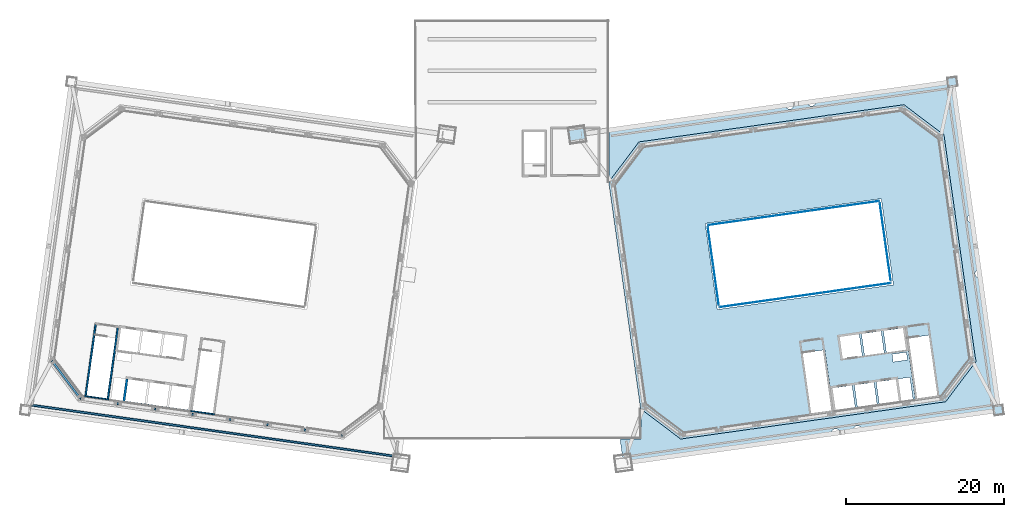
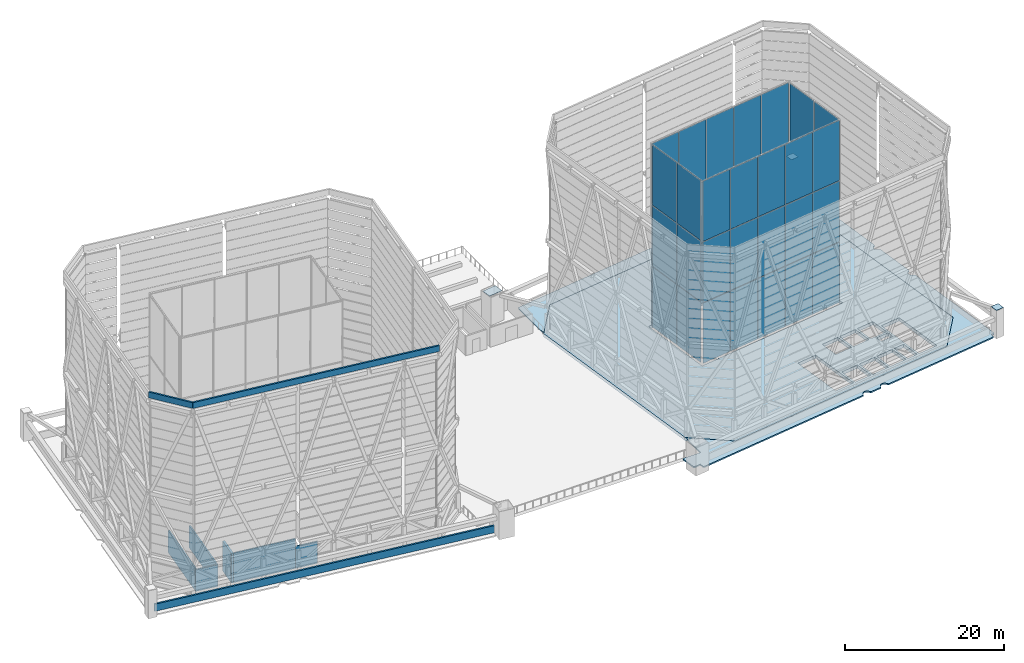
# One storey, part 19 of 45: 45 plates, 9 walls, 2 slabs, 4 elements without a shape of their own.
"""IFC4 building model written with IfcOpenShell, lengths in metres."""

from ifc_helpers import new_model, si_unit, direction, frame, frame_2d, origin, origin_2d, place, context, subcontext, project, spatial, polyline, rectangle, outline, extrude, material, layer, layer_set, type_object, element, aggregate, save


model = new_model("IFC4")

# Units and contexts
model_context = context("Model", 3, precision=1e-05, world=origin(), true_north=direction((0.0, 1.0)))
body_context = subcontext(model_context, "Body", "Model", "MODEL_VIEW")
ifc_project = project(units=[si_unit("LENGTHUNIT", "METRE"), si_unit("AREAUNIT", "SQUARE_METRE"), si_unit("VOLUMEUNIT", "CUBIC_METRE"), si_unit("PLANEANGLEUNIT", "RADIAN"), si_unit("MASSUNIT", "GRAM", prefix="KILO")], contexts=[model_context])

# Site, building, storey
site_placement = place(None, origin())
site = spatial("IfcSite", under=ifc_project, at=site_placement, CompositionType="ELEMENT")
building_placement = place(site_placement, origin())
building = spatial("IfcBuilding", under=site, at=building_placement, Name="Mirante Cascada Hotel Towers", CompositionType="ELEMENT")
storey_placement = place(building_placement, frame((0.0, 0.0, 269.8)))
storey = spatial("IfcBuildingStorey", under=building, at=storey_placement, Name="Roof garden", CompositionType="ELEMENT", Elevation=269.8)

# Slab
ifc_material_1 = material(Name="Precast concrete C40/50", Category="concrete")
ifc_layer_1 = layer(ifc_material_1, 0.2)
ifc_layer_set_1 = layer_set([ifc_layer_1], Name="Crown deck edge slab 200 C40/50")
slab_type_1 = type_object("IfcSlabType", Name="Crown deck edge slab 200 C40/50", PredefinedType="FLOOR", material=ifc_layer_set_1)
slab_1_placement = place(storey_placement, frame((0.0, 0.0, -0.2)))
element("IfcSlab", 1, at=slab_1_placement, inside=storey, type_object=slab_type_1, Name="Crown deck edge slab T2 1", PredefinedType="FLOOR", context=body_context, shape_type="SweptSolid", body=[
    extrude(outline(polyline([(12.5712, 10.5725), (12.4994, 10.5206), (12.3967, 10.5231), (12.3275, 10.5782), (12.3014, 10.6627), (12.3014, 16.5886), (12.3336, 16.6815), (12.4164, 16.7345), (34.4832, 19.8365), (34.5553, 19.8289), (34.6051, 19.7988), (34.7323, 19.5856), (34.8573, 19.4723), (35.0488, 19.393), (35.2172, 19.3847), (35.4156, 19.4449), (35.5511, 19.5453), (35.6662, 19.7177), (35.7288, 19.9556), (35.7685, 19.999), (35.8364, 20.0266), (37.3103, 20.2273), (37.3987, 20.1796), (37.5156, 19.9767), (37.6406, 19.8635), (37.8321, 19.7842), (38.0005, 19.7759), (38.1989, 19.8361), (38.3343, 19.9365), (38.4495, 20.1089), (38.5121, 20.3467), (38.5518, 20.3902), (38.6196, 20.4178), (55.102, 22.7342), (55.2009, 22.7138), (55.244, 22.6741), (55.2686, 22.621), (55.3272, 22.2107), (55.7672, 22.2658), (55.8456, 22.228), (55.8926, 22.1385), (58.1313, 6.209), (58.1281, 6.1509), (58.0936, 6.0871), (57.8804, 5.9599), (57.7672, 5.8349), (57.6878, 5.6434), (57.6796, 5.475), (57.7397, 5.2766), (57.8402, 5.1412), (58.0126, 5.026), (58.2504, 4.9634), (58.2938, 4.9237), (58.3215, 4.8559), (59.1154, -0.7986), (59.1065, -0.8561), (59.0661, -0.9163), (58.8632, -1.0331), (58.75, -1.1581), (58.6706, -1.3496), (58.6624, -1.518), (58.7225, -1.7164), (58.823, -1.8519), (58.9954, -1.9671), (59.2332, -2.0296), (59.2767, -2.0693), (59.3043, -2.1372), (61.543, -18.0664), (61.5225, -18.1654), (61.4829, -18.2085), (61.4298, -18.2331), (61.0194, -18.2917), (61.0745, -18.7316), (61.0262, -18.8204), (60.9472, -18.857), (44.4647, -21.1735), (44.3926, -21.1659), (44.3428, -21.1358), (44.2156, -20.9226), (44.0906, -20.8094), (43.8991, -20.73), (43.7307, -20.7218), (43.5323, -20.7819), (43.3968, -20.8824), (43.2817, -21.0548), (43.2261, -21.2796), (43.154, -21.3511), (41.6814, -21.5647), (41.6233, -21.5614), (41.5595, -21.527), (41.4323, -21.3138), (41.3074, -21.2005), (41.1158, -21.1212), (40.9474, -21.1129), (40.749, -21.1731), (40.6136, -21.2736), (40.4984, -21.4459), (40.4358, -21.6838), (40.3838, -21.7354), (40.3283, -21.7548), (15.2464, -25.2799), (15.1474, -25.2594), (15.0839, -25.1808), (15.0002, -24.6078), (14.1587, -24.7259), (14.0597, -24.7054), (14.0085, -24.6534), (13.9892, -24.5982), (13.7046, -22.5728), (13.7083, -22.5129), (13.745, -22.4479), (13.7944, -22.4139), (13.8531, -22.4019), (16.2855, -22.4019), (16.3344, -22.3687), (16.3374, -18.9082), (16.3702, -18.8145), (16.4544, -18.7619), (16.5119, -18.7602), (16.5777, -18.7884), (21.0829, -22.1833), (21.225, -22.3208), (21.3699, -22.3994), (21.4955, -22.4029), (21.5881, -22.393), (21.7262, -22.3495), (26.1241, -21.7315), (26.2829, -21.7339), (26.4671, -21.6832), (30.024, -21.1833), (30.2189, -21.2146), (30.3414, -21.2139), (30.5122, -21.1711), (30.682, -21.0909), (30.8792, -21.0638), (31.0238, -21.0676), (31.208, -21.017), (35.6058, -20.3989), (35.7647, -20.4014), (35.9489, -20.3507), (40.3467, -19.7326), (40.5056, -19.7351), (40.6898, -19.6844), (44.5383, -19.1435), (44.7332, -19.1748), (44.8556, -19.1741), (44.9756, -19.1495), (45.1451, -19.0755), (45.2926, -19.0616), (45.4307, -19.0181), (49.8285, -18.4), (49.9874, -18.4025), (50.1716, -18.3518), (54.5694, -17.7337), (54.7671, -17.7304), (54.9252, -17.6835), (55.0475, -17.5624), (55.1419, -17.3963), (58.539, -12.8882), (58.6764, -12.7461), (58.7551, -12.6012), (58.7585, -12.4756), (58.7487, -12.383), (58.7052, -12.2449), (58.0894, -7.8632), (58.0918, -7.7043), (58.0411, -7.5201), (57.4253, -3.1384), (57.4278, -2.9795), (57.3771, -2.7954), (56.7613, 1.5864), (56.7638, 1.7452), (56.7131, 1.9294), (56.0973, 6.3111), (56.0998, 6.47), (56.0491, 6.6542), (55.4333, 11.0359), (55.4357, 11.1948), (55.3851, 11.379), (54.7692, 15.7607), (54.7724, 15.9122), (54.755, 16.0037), (54.7191, 16.1165), (54.5979, 16.2387), (54.4319, 16.3331), (49.9238, 19.7302), (49.8132, 19.8443), (49.6367, 19.9463), (49.4646, 19.9471), (49.2804, 19.8964), (44.8826, 19.2783), (44.7237, 19.2808), (44.5395, 19.2301), (40.1417, 18.612), (39.9828, 18.6145), (39.7986, 18.5638), (35.4008, 17.9458), (35.2419, 17.9482), (35.0577, 17.8975), (30.6599, 17.2795), (30.501, 17.2819), (30.3168, 17.2313), (25.919, 16.6132), (25.7601, 16.6157), (25.5759, 16.565), (21.1781, 15.9469), (21.0192, 15.9494), (20.835, 15.8987), (16.4372, 15.2806), (16.2856, 15.2838), (16.1942, 15.2663), (16.0814, 15.2304), (15.9591, 15.1093), (15.8647, 14.9432), (12.5712, 10.5725)])), origin(), (0.0, 0.0, 1.0), 0.2),
])

# Curtain wall, plates
ifc_material_2 = material(Name="Aluminium mullion and transom frame with clear laminated glass", Category="aluminium")
curtain_wall_type = type_object("IfcCurtainWallType", Name="Atrium rooflight wall ECW6", PredefinedType="NOTDEFINED", material=ifc_material_2)
curtain_wall_1_placement = place(storey_placement, origin())
curtain_wall_1 = element("IfcCurtainWall", 2, at=curtain_wall_1_placement, inside=storey, type_object=curtain_wall_type, Name="Atrium rooflight wall T2 long rear", PredefinedType="NOTDEFINED")
ifc_material_3 = material(Name="Clear laminated glass", Category="glass")
ifc_layer_2 = layer(ifc_material_3, 0.036)
ifc_layer_set_2 = layer_set([ifc_layer_2], Name="ECW6 glass panel 36")
plate_type_1 = type_object("IfcPlateType", Name="ECW6 glass panel 36", PredefinedType="CURTAIN_PANEL", material=ifc_layer_set_2)
plate_1_placement = place(storey_placement, frame((28.4257, -5.4022, 0.0999), z_axis=(0.0, 0.0, 1.0), x_axis=(0.9902681, 0.1391731, 0.0)))
plate_1 = element("IfcPlate", 3, at=plate_1_placement, type_object=plate_type_1, Name="ECW6 panel 1", PredefinedType="CURTAIN_PANEL", context=body_context, shape_type="SweptSolid", body=[
    extrude(rectangle(XDim=4.295, YDim=0.036, at=origin_2d()), origin(), (0.0, 0.0, 1.0), 9.2667),
])
plate_2_placement = place(storey_placement, frame((28.4257, -5.4022, 9.4667), z_axis=(0.0, 0.0, 1.0), x_axis=(0.9902681, 0.1391731, 0.0)))
plate_2 = element("IfcPlate", 4, at=plate_2_placement, type_object=plate_type_1, Name="ECW6 panel 1", PredefinedType="CURTAIN_PANEL", context=body_context, shape_type="SweptSolid", body=[
    extrude(rectangle(XDim=4.295, YDim=0.036, at=origin_2d()), origin(), (0.0, 0.0, 1.0), 9.3167),
])
plate_3_placement = place(storey_placement, frame((28.4257, -5.4022, 18.8834), z_axis=(0.0, 0.0, 1.0), x_axis=(0.9902681, 0.1391731, 0.0)))
plate_3 = element("IfcPlate", 5, at=plate_3_placement, type_object=plate_type_1, Name="ECW6 panel 1", PredefinedType="CURTAIN_PANEL", context=body_context, shape_type="SweptSolid", body=[
    extrude(rectangle(XDim=4.295, YDim=0.036, at=origin_2d()), origin(), (0.0, 0.0, 1.0), 9.2667),
])
plate_4_placement = place(storey_placement, frame((32.7655, -4.7923, 0.0999), z_axis=(0.0, 0.0, 1.0), x_axis=(0.9902681, 0.1391731, 0.0)))
plate_4 = element("IfcPlate", 6, at=plate_4_placement, type_object=plate_type_1, Name="ECW6 panel 2", PredefinedType="CURTAIN_PANEL", context=body_context, shape_type="SweptSolid", body=[
    extrude(rectangle(XDim=4.33, YDim=0.036, at=origin_2d()), origin(), (0.0, 0.0, 1.0), 9.2667),
])
plate_5_placement = place(storey_placement, frame((32.7655, -4.7923, 9.4667), z_axis=(0.0, 0.0, 1.0), x_axis=(0.9902681, 0.1391731, 0.0)))
plate_5 = element("IfcPlate", 7, at=plate_5_placement, type_object=plate_type_1, Name="ECW6 panel 2", PredefinedType="CURTAIN_PANEL", context=body_context, shape_type="SweptSolid", body=[
    extrude(rectangle(XDim=4.33, YDim=0.036, at=origin_2d()), origin(), (0.0, 0.0, 1.0), 9.3167),
])
plate_6_placement = place(storey_placement, frame((32.7655, -4.7923, 18.8834), z_axis=(0.0, 0.0, 1.0), x_axis=(0.9902681, 0.1391731, 0.0)))
plate_6 = element("IfcPlate", 8, at=plate_6_placement, type_object=plate_type_1, Name="ECW6 panel 2", PredefinedType="CURTAIN_PANEL", context=body_context, shape_type="SweptSolid", body=[
    extrude(rectangle(XDim=4.33, YDim=0.036, at=origin_2d()), origin(), (0.0, 0.0, 1.0), 9.2667),
])
plate_7_placement = place(storey_placement, frame((37.1227, -4.1799, 0.0999), z_axis=(0.0, 0.0, 1.0), x_axis=(0.9902681, 0.1391731, 0.0)))
plate_7 = element("IfcPlate", 9, at=plate_7_placement, type_object=plate_type_1, Name="ECW6 panel 3", PredefinedType="CURTAIN_PANEL", context=body_context, shape_type="SweptSolid", body=[
    extrude(rectangle(XDim=4.33, YDim=0.036, at=origin_2d()), origin(), (0.0, 0.0, 1.0), 9.2667),
])
plate_8_placement = place(storey_placement, frame((37.1227, -4.1799, 9.4667), z_axis=(0.0, 0.0, 1.0), x_axis=(0.9902681, 0.1391731, 0.0)))
plate_8 = element("IfcPlate", 10, at=plate_8_placement, type_object=plate_type_1, Name="ECW6 panel 3", PredefinedType="CURTAIN_PANEL", context=body_context, shape_type="SweptSolid", body=[
    extrude(rectangle(XDim=4.33, YDim=0.036, at=origin_2d()), origin(), (0.0, 0.0, 1.0), 9.3167),
])
plate_9_placement = place(storey_placement, frame((37.1227, -4.1799, 18.8834), z_axis=(0.0, 0.0, 1.0), x_axis=(0.9902681, 0.1391731, 0.0)))
plate_9 = element("IfcPlate", 11, at=plate_9_placement, type_object=plate_type_1, Name="ECW6 panel 3", PredefinedType="CURTAIN_PANEL", context=body_context, shape_type="SweptSolid", body=[
    extrude(rectangle(XDim=4.33, YDim=0.036, at=origin_2d()), origin(), (0.0, 0.0, 1.0), 9.2667),
])
plate_10_placement = place(storey_placement, frame((41.4799, -3.5676, 0.0999), z_axis=(0.0, 0.0, 1.0), x_axis=(0.9902681, 0.1391731, 0.0)))
plate_10 = element("IfcPlate", 12, at=plate_10_placement, type_object=plate_type_1, Name="ECW6 panel 4", PredefinedType="CURTAIN_PANEL", context=body_context, shape_type="SweptSolid", body=[
    extrude(rectangle(XDim=4.33, YDim=0.036, at=origin_2d()), origin(), (0.0, 0.0, 1.0), 9.2667),
])
plate_11_placement = place(storey_placement, frame((41.4799, -3.5676, 9.4667), z_axis=(0.0, 0.0, 1.0), x_axis=(0.9902681, 0.1391731, 0.0)))
plate_11 = element("IfcPlate", 13, at=plate_11_placement, type_object=plate_type_1, Name="ECW6 panel 4", PredefinedType="CURTAIN_PANEL", context=body_context, shape_type="SweptSolid", body=[
    extrude(rectangle(XDim=4.33, YDim=0.036, at=origin_2d()), origin(), (0.0, 0.0, 1.0), 9.3167),
])
plate_12_placement = place(storey_placement, frame((41.4799, -3.5676, 18.8834), z_axis=(0.0, 0.0, 1.0), x_axis=(0.9902681, 0.1391731, 0.0)))
plate_12 = element("IfcPlate", 14, at=plate_12_placement, type_object=plate_type_1, Name="ECW6 panel 4", PredefinedType="CURTAIN_PANEL", context=body_context, shape_type="SweptSolid", body=[
    extrude(rectangle(XDim=4.33, YDim=0.036, at=origin_2d()), origin(), (0.0, 0.0, 1.0), 9.2667),
])
plate_13_placement = place(storey_placement, frame((45.8197, -2.9576, 0.0999), z_axis=(0.0, 0.0, 1.0), x_axis=(0.9902681, 0.1391731, 0.0)))
plate_13 = element("IfcPlate", 15, at=plate_13_placement, type_object=plate_type_1, Name="ECW6 panel 5", PredefinedType="CURTAIN_PANEL", context=body_context, shape_type="SweptSolid", body=[
    extrude(rectangle(XDim=4.295, YDim=0.036, at=origin_2d()), origin(), (0.0, 0.0, 1.0), 9.2667),
])
plate_14_placement = place(storey_placement, frame((45.8197, -2.9576, 9.4667), z_axis=(0.0, 0.0, 1.0), x_axis=(0.9902681, 0.1391731, 0.0)))
plate_14 = element("IfcPlate", 16, at=plate_14_placement, type_object=plate_type_1, Name="ECW6 panel 5", PredefinedType="CURTAIN_PANEL", context=body_context, shape_type="SweptSolid", body=[
    extrude(rectangle(XDim=4.295, YDim=0.036, at=origin_2d()), origin(), (0.0, 0.0, 1.0), 9.3167),
])
plate_15_placement = place(storey_placement, frame((45.8197, -2.9576, 18.8834), z_axis=(0.0, 0.0, 1.0), x_axis=(0.9902681, 0.1391731, 0.0)))
plate_15 = element("IfcPlate", 17, at=plate_15_placement, type_object=plate_type_1, Name="ECW6 panel 5", PredefinedType="CURTAIN_PANEL", context=body_context, shape_type="SweptSolid", body=[
    extrude(rectangle(XDim=4.295, YDim=0.036, at=origin_2d()), origin(), (0.0, 0.0, 1.0), 9.2667),
])
aggregate(curtain_wall_1, [plate_1, plate_2, plate_3, plate_4, plate_5, plate_6, plate_7, plate_8, plate_9, plate_10, plate_11, plate_12, plate_13, plate_14, plate_15])

curtain_wall_2_placement = place(storey_placement, origin())
curtain_wall_2 = element("IfcCurtainWall", 18, at=curtain_wall_2_placement, inside=storey, type_object=curtain_wall_type, Name="Atrium rooflight wall T2 outer", PredefinedType="NOTDEFINED")
plate_16_placement = place(storey_placement, frame((47.6326, 0.0767, 0.0999), z_axis=(0.0, 0.0, 1.0), x_axis=(-0.1391731, 0.9902681, 0.0)))
plate_16 = element("IfcPlate", 19, at=plate_16_placement, type_object=plate_type_1, Name="ECW6 panel 1", PredefinedType="CURTAIN_PANEL", context=body_context, shape_type="SweptSolid", body=[
    extrude(rectangle(XDim=4.925, YDim=0.036, at=origin_2d()), origin(), (0.0, 0.0, 1.0), 9.2667),
])
plate_17_placement = place(storey_placement, frame((47.6326, 0.0767, 9.4667), z_axis=(0.0, 0.0, 1.0), x_axis=(-0.1391731, 0.9902681, 0.0)))
plate_17 = element("IfcPlate", 20, at=plate_17_placement, type_object=plate_type_1, Name="ECW6 panel 1", PredefinedType="CURTAIN_PANEL", context=body_context, shape_type="SweptSolid", body=[
    extrude(rectangle(XDim=4.925, YDim=0.036, at=origin_2d()), origin(), (0.0, 0.0, 1.0), 9.3167),
])
plate_18_placement = place(storey_placement, frame((47.6326, 0.0767, 18.8834), z_axis=(0.0, 0.0, 1.0), x_axis=(-0.1391731, 0.9902681, 0.0)))
plate_18 = element("IfcPlate", 21, at=plate_18_placement, type_object=plate_type_1, Name="ECW6 panel 1", PredefinedType="CURTAIN_PANEL", context=body_context, shape_type="SweptSolid", body=[
    extrude(rectangle(XDim=4.925, YDim=0.036, at=origin_2d()), origin(), (0.0, 0.0, 1.0), 9.2667),
])
plate_19_placement = place(storey_placement, frame((46.9374, 5.0231, 0.0999), z_axis=(0.0, 0.0, 1.0), x_axis=(-0.1391731, 0.9902681, 0.0)))
plate_19 = element("IfcPlate", 22, at=plate_19_placement, type_object=plate_type_1, Name="ECW6 panel 2", PredefinedType="CURTAIN_PANEL", context=body_context, shape_type="SweptSolid", body=[
    extrude(rectangle(XDim=4.925, YDim=0.036, at=origin_2d()), origin(), (0.0, 0.0, 1.0), 9.2667),
])
plate_20_placement = place(storey_placement, frame((46.9374, 5.0231, 9.4667), z_axis=(0.0, 0.0, 1.0), x_axis=(-0.1391731, 0.9902681, 0.0)))
plate_20 = element("IfcPlate", 23, at=plate_20_placement, type_object=plate_type_1, Name="ECW6 panel 2", PredefinedType="CURTAIN_PANEL", context=body_context, shape_type="SweptSolid", body=[
    extrude(rectangle(XDim=4.925, YDim=0.036, at=origin_2d()), origin(), (0.0, 0.0, 1.0), 9.3167),
])
plate_21_placement = place(storey_placement, frame((46.9374, 5.0231, 18.8834), z_axis=(0.0, 0.0, 1.0), x_axis=(-0.1391731, 0.9902681, 0.0)))
plate_21 = element("IfcPlate", 24, at=plate_21_placement, type_object=plate_type_1, Name="ECW6 panel 2", PredefinedType="CURTAIN_PANEL", context=body_context, shape_type="SweptSolid", body=[
    extrude(rectangle(XDim=4.925, YDim=0.036, at=origin_2d()), origin(), (0.0, 0.0, 1.0), 9.2667),
])
aggregate(curtain_wall_2, [plate_16, plate_17, plate_18, plate_19, plate_20, plate_21])

curtain_wall_3_placement = place(storey_placement, origin())
curtain_wall_3 = element("IfcCurtainWall", 25, at=curtain_wall_3_placement, inside=storey, type_object=curtain_wall_type, Name="Atrium rooflight wall T2 long front", PredefinedType="NOTDEFINED")
plate_22_placement = place(storey_placement, frame((44.3584, 7.4402, 0.0999), z_axis=(0.0, 0.0, 1.0), x_axis=(-0.9902681, -0.1391731, 0.0)))
plate_22 = element("IfcPlate", 26, at=plate_22_placement, type_object=plate_type_1, Name="ECW6 panel 1", PredefinedType="CURTAIN_PANEL", context=body_context, shape_type="SweptSolid", body=[
    extrude(rectangle(XDim=4.295, YDim=0.036, at=origin_2d()), origin(), (0.0, 0.0, 1.0), 9.2667),
])
plate_23_placement = place(storey_placement, frame((44.3584, 7.4402, 9.4667), z_axis=(0.0, 0.0, 1.0), x_axis=(-0.9902681, -0.1391731, 0.0)))
plate_23 = element("IfcPlate", 27, at=plate_23_placement, type_object=plate_type_1, Name="ECW6 panel 1", PredefinedType="CURTAIN_PANEL", context=body_context, shape_type="SweptSolid", body=[
    extrude(rectangle(XDim=4.295, YDim=0.036, at=origin_2d()), origin(), (0.0, 0.0, 1.0), 9.3167),
])
plate_24_placement = place(storey_placement, frame((44.3584, 7.4402, 18.8834), z_axis=(0.0, 0.0, 1.0), x_axis=(-0.9902681, -0.1391731, 0.0)))
plate_24 = element("IfcPlate", 28, at=plate_24_placement, type_object=plate_type_1, Name="ECW6 panel 1", PredefinedType="CURTAIN_PANEL", context=body_context, shape_type="SweptSolid", body=[
    extrude(rectangle(XDim=4.295, YDim=0.036, at=origin_2d()), origin(), (0.0, 0.0, 1.0), 9.2667),
])
plate_25_placement = place(storey_placement, frame((40.0186, 6.8303, 0.0999), z_axis=(0.0, 0.0, 1.0), x_axis=(-0.9902681, -0.1391731, 0.0)))
plate_25 = element("IfcPlate", 29, at=plate_25_placement, type_object=plate_type_1, Name="ECW6 panel 2", PredefinedType="CURTAIN_PANEL", context=body_context, shape_type="SweptSolid", body=[
    extrude(rectangle(XDim=4.33, YDim=0.036, at=origin_2d()), origin(), (0.0, 0.0, 1.0), 9.2667),
])
plate_26_placement = place(storey_placement, frame((40.0186, 6.8303, 9.4667), z_axis=(0.0, 0.0, 1.0), x_axis=(-0.9902681, -0.1391731, 0.0)))
plate_26 = element("IfcPlate", 30, at=plate_26_placement, type_object=plate_type_1, Name="ECW6 panel 2", PredefinedType="CURTAIN_PANEL", context=body_context, shape_type="SweptSolid", body=[
    extrude(rectangle(XDim=4.33, YDim=0.036, at=origin_2d()), origin(), (0.0, 0.0, 1.0), 9.3167),
])
plate_27_placement = place(storey_placement, frame((40.0186, 6.8303, 18.8834), z_axis=(0.0, 0.0, 1.0), x_axis=(-0.9902681, -0.1391731, 0.0)))
plate_27 = element("IfcPlate", 31, at=plate_27_placement, type_object=plate_type_1, Name="ECW6 panel 2", PredefinedType="CURTAIN_PANEL", context=body_context, shape_type="SweptSolid", body=[
    extrude(rectangle(XDim=4.33, YDim=0.036, at=origin_2d()), origin(), (0.0, 0.0, 1.0), 9.2667),
])
plate_28_placement = place(storey_placement, frame((35.6614, 6.2179, 0.0999), z_axis=(0.0, 0.0, 1.0), x_axis=(-0.9902681, -0.1391731, 0.0)))
plate_28 = element("IfcPlate", 32, at=plate_28_placement, type_object=plate_type_1, Name="ECW6 panel 3", PredefinedType="CURTAIN_PANEL", context=body_context, shape_type="SweptSolid", body=[
    extrude(rectangle(XDim=4.33, YDim=0.036, at=origin_2d()), origin(), (0.0, 0.0, 1.0), 9.2667),
])
plate_29_placement = place(storey_placement, frame((35.6614, 6.2179, 9.4667), z_axis=(0.0, 0.0, 1.0), x_axis=(-0.9902681, -0.1391731, 0.0)))
plate_29 = element("IfcPlate", 33, at=plate_29_placement, type_object=plate_type_1, Name="ECW6 panel 3", PredefinedType="CURTAIN_PANEL", context=body_context, shape_type="SweptSolid", body=[
    extrude(rectangle(XDim=4.33, YDim=0.036, at=origin_2d()), origin(), (0.0, 0.0, 1.0), 9.3167),
])
plate_30_placement = place(storey_placement, frame((35.6614, 6.2179, 18.8834), z_axis=(0.0, 0.0, 1.0), x_axis=(-0.9902681, -0.1391731, 0.0)))
plate_30 = element("IfcPlate", 34, at=plate_30_placement, type_object=plate_type_1, Name="ECW6 panel 3", PredefinedType="CURTAIN_PANEL", context=body_context, shape_type="SweptSolid", body=[
    extrude(rectangle(XDim=4.33, YDim=0.036, at=origin_2d()), origin(), (0.0, 0.0, 1.0), 9.2667),
])
plate_31_placement = place(storey_placement, frame((31.3042, 5.6055, 0.0999), z_axis=(0.0, 0.0, 1.0), x_axis=(-0.9902681, -0.1391731, 0.0)))
plate_31 = element("IfcPlate", 35, at=plate_31_placement, type_object=plate_type_1, Name="ECW6 panel 4", PredefinedType="CURTAIN_PANEL", context=body_context, shape_type="SweptSolid", body=[
    extrude(rectangle(XDim=4.33, YDim=0.036, at=origin_2d()), origin(), (0.0, 0.0, 1.0), 9.2667),
])
plate_32_placement = place(storey_placement, frame((31.3042, 5.6055, 9.4667), z_axis=(0.0, 0.0, 1.0), x_axis=(-0.9902681, -0.1391731, 0.0)))
plate_32 = element("IfcPlate", 36, at=plate_32_placement, type_object=plate_type_1, Name="ECW6 panel 4", PredefinedType="CURTAIN_PANEL", context=body_context, shape_type="SweptSolid", body=[
    extrude(rectangle(XDim=4.33, YDim=0.036, at=origin_2d()), origin(), (0.0, 0.0, 1.0), 9.3167),
])
plate_33_placement = place(storey_placement, frame((31.3042, 5.6055, 18.8834), z_axis=(0.0, 0.0, 1.0), x_axis=(-0.9902681, -0.1391731, 0.0)))
plate_33 = element("IfcPlate", 37, at=plate_33_placement, type_object=plate_type_1, Name="ECW6 panel 4", PredefinedType="CURTAIN_PANEL", context=body_context, shape_type="SweptSolid", body=[
    extrude(rectangle(XDim=4.33, YDim=0.036, at=origin_2d()), origin(), (0.0, 0.0, 1.0), 9.2667),
])
plate_34_placement = place(storey_placement, frame((26.9644, 4.9956, 0.0999), z_axis=(0.0, 0.0, 1.0), x_axis=(-0.9902681, -0.1391731, 0.0)))
plate_34 = element("IfcPlate", 38, at=plate_34_placement, type_object=plate_type_1, Name="ECW6 panel 5", PredefinedType="CURTAIN_PANEL", context=body_context, shape_type="SweptSolid", body=[
    extrude(rectangle(XDim=4.295, YDim=0.036, at=origin_2d()), origin(), (0.0, 0.0, 1.0), 9.2667),
])
plate_35_placement = place(storey_placement, frame((26.9644, 4.9956, 9.4667), z_axis=(0.0, 0.0, 1.0), x_axis=(-0.9902681, -0.1391731, 0.0)))
plate_35 = element("IfcPlate", 39, at=plate_35_placement, type_object=plate_type_1, Name="ECW6 panel 5", PredefinedType="CURTAIN_PANEL", context=body_context, shape_type="SweptSolid", body=[
    extrude(rectangle(XDim=4.295, YDim=0.036, at=origin_2d()), origin(), (0.0, 0.0, 1.0), 9.3167),
])
plate_36_placement = place(storey_placement, frame((26.9644, 4.9956, 18.8834), z_axis=(0.0, 0.0, 1.0), x_axis=(-0.9902681, -0.1391731, 0.0)))
plate_36 = element("IfcPlate", 40, at=plate_36_placement, type_object=plate_type_1, Name="ECW6 panel 5", PredefinedType="CURTAIN_PANEL", context=body_context, shape_type="SweptSolid", body=[
    extrude(rectangle(XDim=4.295, YDim=0.036, at=origin_2d()), origin(), (0.0, 0.0, 1.0), 9.2667),
])
aggregate(curtain_wall_3, [plate_22, plate_23, plate_24, plate_25, plate_26, plate_27, plate_28, plate_29, plate_30, plate_31, plate_32, plate_33, plate_34, plate_35, plate_36])

curtain_wall_4_placement = place(storey_placement, origin())
curtain_wall_4 = element("IfcCurtainWall", 41, at=curtain_wall_4_placement, inside=storey, type_object=curtain_wall_type, Name="Atrium rooflight wall T2 inner", PredefinedType="NOTDEFINED")
plate_37_placement = place(storey_placement, frame((25.1515, 1.9613, 0.0999), z_axis=(0.0, 0.0, 1.0), x_axis=(0.1391731, -0.9902681, 0.0)))
plate_37 = element("IfcPlate", 42, at=plate_37_placement, type_object=plate_type_1, Name="ECW6 panel 1", PredefinedType="CURTAIN_PANEL", context=body_context, shape_type="SweptSolid", body=[
    extrude(rectangle(XDim=4.925, YDim=0.036, at=origin_2d()), origin(), (0.0, 0.0, 1.0), 9.2667),
])
plate_38_placement = place(storey_placement, frame((25.1515, 1.9613, 9.4667), z_axis=(0.0, 0.0, 1.0), x_axis=(0.1391731, -0.9902681, 0.0)))
plate_38 = element("IfcPlate", 43, at=plate_38_placement, type_object=plate_type_1, Name="ECW6 panel 1", PredefinedType="CURTAIN_PANEL", context=body_context, shape_type="SweptSolid", body=[
    extrude(rectangle(XDim=4.925, YDim=0.036, at=origin_2d()), origin(), (0.0, 0.0, 1.0), 9.3167),
])
plate_39_placement = place(storey_placement, frame((25.1515, 1.9613, 18.8834), z_axis=(0.0, 0.0, 1.0), x_axis=(0.1391731, -0.9902681, 0.0)))
plate_39 = element("IfcPlate", 44, at=plate_39_placement, type_object=plate_type_1, Name="ECW6 panel 1", PredefinedType="CURTAIN_PANEL", context=body_context, shape_type="SweptSolid", body=[
    extrude(rectangle(XDim=4.925, YDim=0.036, at=origin_2d()), origin(), (0.0, 0.0, 1.0), 9.2667),
])
plate_40_placement = place(storey_placement, frame((25.8467, -2.9851, 0.0999), z_axis=(0.0, 0.0, 1.0), x_axis=(0.1391731, -0.9902681, 0.0)))
plate_40 = element("IfcPlate", 45, at=plate_40_placement, type_object=plate_type_1, Name="ECW6 panel 2", PredefinedType="CURTAIN_PANEL", context=body_context, shape_type="SweptSolid", body=[
    extrude(rectangle(XDim=4.925, YDim=0.036, at=origin_2d()), origin(), (0.0, 0.0, 1.0), 9.2667),
])
plate_41_placement = place(storey_placement, frame((25.8467, -2.9851, 9.4667), z_axis=(0.0, 0.0, 1.0), x_axis=(0.1391731, -0.9902681, 0.0)))
plate_41 = element("IfcPlate", 46, at=plate_41_placement, type_object=plate_type_1, Name="ECW6 panel 2", PredefinedType="CURTAIN_PANEL", context=body_context, shape_type="SweptSolid", body=[
    extrude(rectangle(XDim=4.925, YDim=0.036, at=origin_2d()), origin(), (0.0, 0.0, 1.0), 9.3167),
])
plate_42_placement = place(storey_placement, frame((25.8467, -2.9851, 18.8834), z_axis=(0.0, 0.0, 1.0), x_axis=(0.1391731, -0.9902681, 0.0)))
plate_42 = element("IfcPlate", 47, at=plate_42_placement, type_object=plate_type_1, Name="ECW6 panel 2", PredefinedType="CURTAIN_PANEL", context=body_context, shape_type="SweptSolid", body=[
    extrude(rectangle(XDim=4.925, YDim=0.036, at=origin_2d()), origin(), (0.0, 0.0, 1.0), 9.2667),
])
aggregate(curtain_wall_4, [plate_37, plate_38, plate_39, plate_40, plate_41, plate_42])

# Plates
ifc_material_4 = material(Name="Steel ASTM A572 Gr 50", Category="steel")
ifc_layer_3 = layer(ifc_material_4, 0.04)
ifc_layer_set_3 = layer_set([ifc_layer_3], Name="End plate 1100x1100x40 ASTM A572 Gr 50")
plate_type_2 = type_object("IfcPlateType", Name="End plate 1100x1100x40 ASTM A572 Gr 50", PredefinedType="SHEET", material=ifc_layer_set_3)
for number, where, z_axis, x_axis, name in (
    (48, (55.7951, 22.8316, 4.3), (0.0, 0.0, 1.0), (0.9902681, 0.1391731, 0.0), "End plate MC3"),
    (49, (61.6404, -18.7596, 4.3), (0.0, 0.0, 1.0), (0.9902681, 0.1391731, 0.0), "End plate MC4"),
):
    element("IfcPlate", number, at=place(storey_placement, frame(where, z_axis=z_axis, x_axis=x_axis)), inside=storey, type_object=plate_type_2, Name=name, PredefinedType="SHEET", context=body_context, shape_type="SweptSolid", body=[
        extrude(rectangle(XDim=1.1, YDim=1.1, at=origin_2d()), origin(), (0.0, 0.0, 1.0), 0.04),
    ])
ifc_material_5 = material(Name="Steel ASTM A572 Gr 50", Category="steel")
ifc_layer_4 = layer(ifc_material_5, 0.04)
ifc_layer_set_4 = layer_set([ifc_layer_4], Name="End plate 1400x2000x40 ASTM A572 Gr 50")
plate_type_3 = type_object("IfcPlateType", Name="End plate 1400x2000x40 ASTM A572 Gr 50", PredefinedType="SHEET", material=ifc_layer_set_4)
plate_43_placement = place(storey_placement, frame((8.2623, 16.1513, 4.3), z_axis=(0.0, 0.0, 1.0), x_axis=(0.9902681, 0.1391731, 0.0)))
element("IfcPlate", 50, at=plate_43_placement, inside=storey, type_object=plate_type_3, Name="End plate MC1", PredefinedType="SHEET", context=body_context, shape_type="SweptSolid", body=[
    extrude(rectangle(XDim=2.0, YDim=1.4, at=origin_2d()), origin(), (0.0, 0.0, 1.0), 0.04),
])

# Slab
ifc_material_6 = material(Name="Concrete C40/50", Category="concrete")
ifc_layer_5 = layer(ifc_material_6, 0.5)
ifc_layer_set_5 = layer_set([ifc_layer_5], Name="Post-tensioned flat plate 500 Concrete C40/50")
slab_type_2 = type_object("IfcSlabType", Name="Post-tensioned flat plate 500 Concrete C40/50", PredefinedType="FLOOR", material=ifc_layer_set_5)
slab_2_placement = place(storey_placement, frame((0.0, 0.0, -0.5)))
element("IfcSlab", 51, at=slab_2_placement, inside=storey, type_object=slab_type_2, Name="Crown floor slab T2", PredefinedType="FLOOR", context=body_context, shape_type="SweptSolid", body=[
    extrude(outline(polyline([(16.2874, -18.5697), (12.2514, 10.1481), (16.0813, 15.2306), (49.6367, 19.9465), (54.7192, 16.1166), (58.7552, -12.6012), (54.9253, -17.6837), (21.3699, -22.3996), (16.2874, -18.5697)]), holes=[polyline([(40.5961, -15.9612), (40.9858, -18.7339), (43.4615, -18.386), (43.0718, -15.6132), (40.5961, -15.9612)]), polyline([(43.3689, -15.5715), (43.7586, -18.3442), (46.2342, -17.9963), (45.8446, -15.2236), (43.3689, -15.5715)]), polyline([(40.6887, -18.7757), (39.611, -11.107), (36.7887, -11.5037), (37.8665, -19.1723), (40.6887, -18.7757)]), polyline([(43.9775, -9.124), (41.5018, -9.472), (41.8915, -12.2447), (44.3672, -11.8968), (43.9775, -9.124)]), polyline([(46.7503, -8.7344), (44.2746, -9.0823), (44.6643, -11.855), (47.1399, -11.5071), (46.7503, -8.7344)]), polyline([(24.4861, 4.8998), (26.017, -5.9932), (48.298, -2.8618), (46.7671, 8.0312), (24.4861, 4.8998)]), polyline([(48.6173, -14.8339), (46.1416, -15.1818), (46.5313, -17.9546), (49.007, -17.6066), (48.6173, -14.8339)]), polyline([(50.3998, -14.5834), (48.9144, -14.7921), (49.3041, -17.5649), (50.7895, -17.3561), (50.3998, -14.5834)]), polyline([(53.9088, -16.9177), (52.8311, -9.2491), (50.0088, -9.6457), (51.0866, -17.3144), (53.9088, -16.9177)]), polyline([(49.9544, -11.4145), (48.1472, -11.6685), (48.2829, -12.634), (50.0901, -12.38), (49.9544, -11.4145)]), polyline([(49.523, -8.3447), (47.0473, -8.6926), (47.437, -11.4654), (49.9127, -11.1174), (49.523, -8.3447)])]), origin(), (0.0, 0.0, 1.0), 0.5),
])

# Walls
ifc_material_7 = material(Name="Concrete C50/60", Category="concrete")
ifc_layer_6 = layer(ifc_material_7, 0.15)
ifc_layer_set_6 = layer_set([ifc_layer_6], Name="Lift overrun wall 150 RC C50/60")
wall_type_1 = type_object("IfcWallType", Name="Lift overrun wall 150 RC C50/60", PredefinedType="SHEAR", material=ifc_layer_set_6)
wall_1_placement = place(storey_placement, frame((-40.6992, -18.8499, 0.0), z_axis=(0.0, 0.0, 1.0), x_axis=(-0.9902681, 0.1391729, 0.0)))
element("IfcWall", 52, at=wall_1_placement, inside=storey, type_object=wall_type_1, Name="Lift overrun wall T1 R1", PredefinedType="SHEAR", context=body_context, shape_type="SweptSolid", body=[
    extrude(rectangle(XDim=8.7, YDim=0.15, at=frame_2d((4.35, 0.0))), origin(), (0.0, 0.0, 1.0), 4.6),
])
ifc_material_8 = material(Name="Concrete C50/60", Category="concrete")
ifc_layer_7 = layer(ifc_material_8, 0.3)
ifc_layer_set_7 = layer_set([ifc_layer_7], Name="Lift overrun wall 300 RC C50/60")
wall_type_2 = type_object("IfcWallType", Name="Lift overrun wall 300 RC C50/60", PredefinedType="SHEAR", material=ifc_layer_set_7)
wall_2_placement = place(storey_placement, frame((-49.1764, -17.7343, 0.0), z_axis=(0.0, 0.0, 1.0), x_axis=(0.1391525, 0.990271, 0.0)))
element("IfcWall", 53, at=wall_2_placement, inside=storey, type_object=wall_type_2, Name="Lift overrun wall T1 R4", PredefinedType="SHEAR", context=body_context, shape_type="SweptSolid", body=[
    extrude(rectangle(XDim=2.95, YDim=0.3, at=frame_2d((1.475, 0.0))), origin(), (0.0, 0.0, 1.0), 4.6),
])
ifc_material_9 = material(Name="Precast concrete C40/50", Category="concrete")
ifc_layer_8 = layer(ifc_material_9, 0.25)
ifc_layer_set_8 = layer_set([ifc_layer_8], Name="Roof parapet wall 250 concrete C40/50")
wall_type_3 = type_object("IfcWallType", Name="Roof parapet wall 250 concrete C40/50", PredefinedType="PARAPET", material=ifc_layer_set_8)
wall_3_placement = place(storey_placement, frame((-14.9934, -24.558, 0.0), z_axis=(0.0, 0.0, 1.0), x_axis=(-0.9902682, 0.1391719, 0.0)))
element("IfcWall", 54, at=wall_3_placement, inside=storey, type_object=wall_type_3, Name="Crown edge parapet T1 2", PredefinedType="PARAPET", context=body_context, shape_type="SweptSolid", body=[
    extrude(rectangle(XDim=46.25, YDim=0.25, at=frame_2d((23.125, 0.0))), origin(), (0.0, 0.0, 1.0), 1.1),
])
wall_4_placement = place(storey_placement, frame((-58.2837, -12.4793, 28.6), z_axis=(0.0, 0.0, 1.0), x_axis=(0.6018225, -0.7986299, 0.0)))
element("IfcWall", 55, at=wall_4_placement, inside=storey, type_object=wall_type_3, Name="Crown roof parapet T1 7", PredefinedType="PARAPET", context=body_context, shape_type="SweptSolid", body=[
    extrude(rectangle(XDim=5.9911, YDim=0.25, at=frame_2d((2.9956, 0.0))), origin(), (0.0, 0.0, 1.0), 0.9),
])
wall_5_placement = place(storey_placement, frame((-54.6781, -17.264, 28.6), z_axis=(0.0, 0.0, 1.0), x_axis=(0.9902682, -0.1391722, 0.0)))
element("IfcWall", 56, at=wall_5_placement, inside=storey, type_object=wall_type_3, Name="Crown roof parapet T1 8", PredefinedType="PARAPET", context=body_context, shape_type="SweptSolid", body=[
    extrude(rectangle(XDim=33.5124, YDim=0.25, at=frame_2d((16.7562, 0.0))), origin(), (0.0, 0.0, 1.0), 0.9),
])
ifc_material_10 = material(Name="Concrete C50/60", Category="concrete")
ifc_layer_9 = layer(ifc_material_10, 0.15)
ifc_layer_set_9 = layer_set([ifc_layer_9], Name="Stair head-house wall 150 RC C50/60")
wall_type_4 = type_object("IfcWallType", Name="Stair head-house wall 150 RC C50/60", PredefinedType="SHEAR", material=ifc_layer_set_9)
for number, where, z_axis, x_axis, name in (
    (57, (-37.6789, -19.2744, 0.0), (0.0, 0.0, 1.0), (-0.990267, 0.139181, 0.0), "Stair head-house wall T1 AR"),
    (58, (-51.097, -17.3886, 0.0), (0.0, 0.0, 1.0), (-0.990267, 0.139181, 0.0), "Stair head-house wall T1 BR"),
):
    element("IfcWall", number, at=place(storey_placement, frame(where, z_axis=z_axis, x_axis=x_axis)), inside=storey, type_object=wall_type_4, Name=name, PredefinedType="SHEAR", context=body_context, shape_type="SweptSolid", body=[
        extrude(rectangle(XDim=3.05, YDim=0.15, at=frame_2d((1.525, 0.0))), origin(), (0.0, 0.0, 1.0), 3.4),
    ])
ifc_material_11 = material(Name="Concrete C50/60", Category="concrete")
ifc_layer_10 = layer(ifc_material_11, 0.2)
ifc_layer_set_10 = layer_set([ifc_layer_10], Name="Stair head-house wall 200 RC C50/60")
wall_type_5 = type_object("IfcWallType", Name="Stair head-house wall 200 RC C50/60", PredefinedType="SHEAR", material=ifc_layer_set_10)
wall_6_placement = place(storey_placement, frame((-51.2065, -17.449, 0.0), z_axis=(0.0, 0.0, 1.0), x_axis=(0.139178, 0.9902674, 0.0)))
element("IfcWall", 59, at=wall_6_placement, inside=storey, type_object=wall_type_5, Name="Stair head-house wall T1 BW", PredefinedType="SHEAR", context=body_context, shape_type="SweptSolid", body=[
    extrude(rectangle(XDim=9.25, YDim=0.2, at=frame_2d((4.625, 0.0))), origin(), (0.0, 0.0, 1.0), 3.4),
])
wall_7_placement = place(storey_placement, frame((-54.0287, -17.0523, 0.0), z_axis=(0.0, 0.0, 1.0), x_axis=(0.1391689, 0.9902687, 0.0)))
element("IfcWall", 60, at=wall_7_placement, inside=storey, type_object=wall_type_5, Name="Stair head-house wall T1 BE", PredefinedType="SHEAR", context=body_context, shape_type="SweptSolid", body=[
    extrude(rectangle(XDim=9.2499, YDim=0.2, at=frame_2d((4.625, 0.0))), origin(), (0.0, 0.0, 1.0), 3.4),
])

save(model, "model.ifc")
